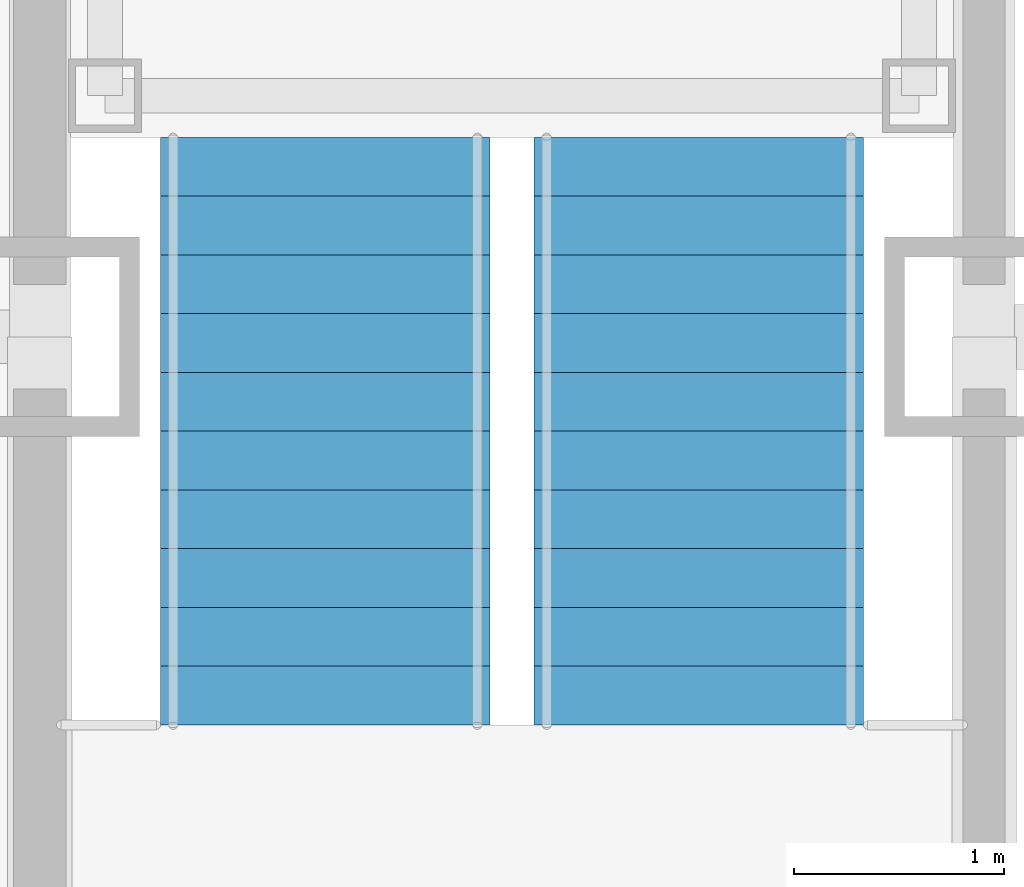
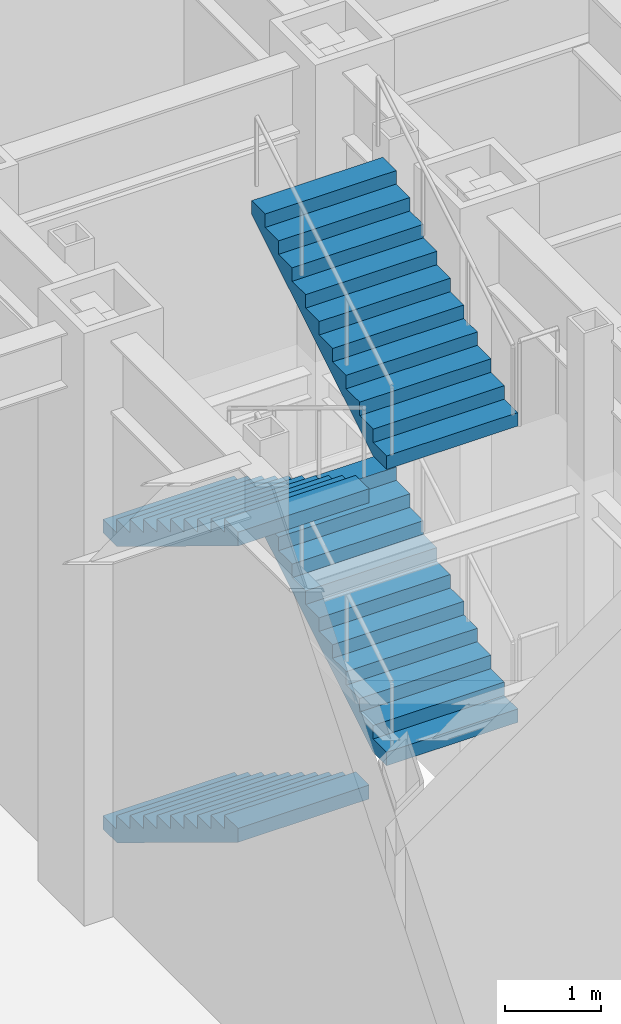
# One storey, part 20 of 34: 4 stair flights, 1 element without a shape of its own.
"""IFC4 building model written with IfcOpenShell, lengths in metres."""

from ifc_helpers import new_model, si_unit, direction, frame, origin, place, context, subcontext, project, spatial, faceted_brep, material, type_object, element, aggregate, save


model = new_model("IFC4")

# Units and contexts
model_context = context("Model", 3, precision=1e-05, world=origin(), true_north=direction((0.0, 1.0)))
body_context = subcontext(model_context, "Body", "Model", "MODEL_VIEW")
ifc_project = project(units=[si_unit("LENGTHUNIT", "METRE"), si_unit("AREAUNIT", "SQUARE_METRE"), si_unit("VOLUMEUNIT", "CUBIC_METRE"), si_unit("PLANEANGLEUNIT", "RADIAN"), si_unit("MASSUNIT", "GRAM", prefix="KILO")], contexts=[model_context])

# Site, building, storey
site_placement = place(None, origin())
site = spatial("IfcSite", under=ifc_project, at=site_placement, CompositionType="ELEMENT")
building_placement = place(site_placement, origin())
building = spatial("IfcBuilding", under=site, at=building_placement, Name="Chuquiago Exchange Tower", CompositionType="ELEMENT")
storey_placement = place(building_placement, frame((0.0, 0.0, 6.0)))
storey = spatial("IfcBuildingStorey", under=building, at=storey_placement, Name="L01", CompositionType="ELEMENT", Elevation=6.0)

# Stair, stair flights
ifc_material_1 = material(Name="Concrete C30/37, precast", Category="concrete")
stair_type = type_object("IfcStairType", Name="ST1 double half-turn stair 7500", PredefinedType="DOUBLE_RETURN_STAIR", material=ifc_material_1)
stair_placement = place(storey_placement, origin())
stair = element("IfcStair", 1, at=stair_placement, inside=storey, type_object=stair_type, Name="Stair ST1 L01", PredefinedType="DOUBLE_RETURN_STAIR")
ifc_material_2 = material(Name="Concrete C30/37, precast", Category="concrete")
stair_flight_type = type_object("IfcStairFlightType", Name="ST-F flight 1570 for 7500 storey", PredefinedType="STRAIGHT", material=ifc_material_2)
stair_flight_1_placement = place(storey_placement, frame((13.360107421875, 21.949951171875, 0.0), z_axis=(0.0, 0.0, 1.0), x_axis=(0.0, -1.0, 0.0)))
stair_flight_1 = element("IfcStairFlight", 2, at=stair_flight_1_placement, type_object=stair_flight_type, Name="ST1 flight 1", NumberOfRisers=11, NumberOfTreads=10, PredefinedType="STRAIGHT", RiserHeight=0.170454545, TreadLength=0.28, context=body_context, shape_type="Brep", body=[
    faceted_brep([(0.0, 0.78515625, 0.0), (0.0, 0.78515625, 0.17041015625), (0.280029296875, 0.78515625, 0.17041015625), (0.280029296875, 0.78515625, 0.3408203125), (0.56005859375, 0.78515625, 0.3408203125), (0.56005859375, 0.78515625, 0.511474609375), (0.840087890625, 0.78515625, 0.511474609375), (0.840087890625, 0.78515625, 0.681884765625), (1.1201171875, 0.78515625, 0.681884765625), (1.1201171875, 0.78515625, 0.852294921875), (1.39990234375, 0.78515625, 0.852294921875), (1.39990234375, 0.78515625, 1.022705078125), (1.679931640625, 0.78515625, 1.022705078125), (1.679931640625, 0.78515625, 1.193115234375), (1.9599609375, 0.78515625, 1.193115234375), (1.9599609375, 0.78515625, 1.363525390625), (2.239990234375, 0.78515625, 1.363525390625), (2.239990234375, 0.78515625, 1.5341796875), (2.52001953125, 0.78515625, 1.5341796875), (2.52001953125, 0.78515625, 1.70458984375), (2.800048828125, 0.78515625, 1.70458984375), (2.800048828125, 0.78515625, 1.529052734375), (0.288330078125, 0.78515625, 0.0), (0.288330078125, -0.78515625, 0.0), (2.800048828125, -0.78515625, 1.529052734375), (2.800048828125, -0.78515625, 1.70458984375), (2.52001953125, -0.78515625, 1.70458984375), (2.52001953125, -0.78515625, 1.5341796875), (2.239990234375, -0.78515625, 1.5341796875), (2.239990234375, -0.78515625, 1.363525390625), (1.9599609375, -0.78515625, 1.363525390625), (1.9599609375, -0.78515625, 1.193115234375), (1.679931640625, -0.78515625, 1.193115234375), (1.679931640625, -0.78515625, 1.022705078125), (1.39990234375, -0.78515625, 1.022705078125), (1.39990234375, -0.78515625, 0.852294921875), (1.1201171875, -0.78515625, 0.852294921875), (1.1201171875, -0.78515625, 0.681884765625), (0.840087890625, -0.78515625, 0.681884765625), (0.840087890625, -0.78515625, 0.511474609375), (0.56005859375, -0.78515625, 0.511474609375), (0.56005859375, -0.78515625, 0.3408203125), (0.280029296875, -0.78515625, 0.3408203125), (0.280029296875, -0.78515625, 0.17041015625), (0.0, -0.78515625, 0.17041015625), (0.0, -0.78515625, 0.0), (0.0, 0.392578125, 0.0), (0.0, 0.392578125, 0.17041015625), (0.0, 0.0, 0.0), (0.0, 0.0, 0.17041015625), (0.0, -0.392578125, 0.0), (0.0, -0.392578125, 0.17041015625), (0.280029296875, 0.392578125, 0.17041015625), (0.280029296875, 0.0, 0.17041015625), (0.280029296875, -0.392578125, 0.17041015625), (0.280029296875, 0.392578125, 0.3408203125), (0.280029296875, 0.0, 0.3408203125), (0.280029296875, -0.392578125, 0.3408203125), (0.56005859375, 0.392578125, 0.3408203125), (0.56005859375, 0.0, 0.3408203125), (0.56005859375, -0.392578125, 0.3408203125), (0.56005859375, 0.392578125, 0.511474609375), (0.56005859375, 0.0, 0.511474609375), (0.56005859375, -0.392578125, 0.511474609375), (0.840087890625, 0.392578125, 0.511474609375), (0.840087890625, 0.0, 0.511474609375), (0.840087890625, -0.392578125, 0.511474609375), (0.840087890625, 0.392578125, 0.681884765625), (0.840087890625, 0.0, 0.681884765625), (0.840087890625, -0.392578125, 0.681884765625), (1.1201171875, 0.392578125, 0.681884765625), (1.1201171875, 0.0, 0.681884765625), (1.1201171875, -0.392578125, 0.681884765625), (1.1201171875, 0.392578125, 0.852294921875), (1.1201171875, 0.0, 0.852294921875), (1.1201171875, -0.392578125, 0.852294921875), (1.39990234375, 0.392578125, 0.852294921875), (1.39990234375, 0.0, 0.852294921875), (1.39990234375, -0.392578125, 0.852294921875), (1.39990234375, 0.392578125, 1.022705078125), (1.39990234375, 0.0, 1.022705078125), (1.39990234375, -0.392578125, 1.022705078125), (1.679931640625, 0.392578125, 1.022705078125), (1.679931640625, 0.0, 1.022705078125), (1.679931640625, -0.392578125, 1.022705078125), (1.679931640625, 0.392578125, 1.193115234375), (1.679931640625, 0.0, 1.193115234375), (1.679931640625, -0.392578125, 1.193115234375), (1.9599609375, 0.392578125, 1.193115234375), (1.9599609375, 0.0, 1.193115234375), (1.9599609375, -0.392578125, 1.193115234375), (1.9599609375, 0.392578125, 1.363525390625), (1.9599609375, 0.0, 1.363525390625), (1.9599609375, -0.392578125, 1.363525390625), (2.239990234375, 0.392578125, 1.363525390625), (2.239990234375, 0.0, 1.363525390625), (2.239990234375, -0.392578125, 1.363525390625), (2.239990234375, 0.392578125, 1.5341796875), (2.239990234375, 0.0, 1.5341796875), (2.239990234375, -0.392578125, 1.5341796875), (2.52001953125, 0.392578125, 1.5341796875), (2.52001953125, 0.0, 1.5341796875), (2.52001953125, -0.392578125, 1.5341796875), (2.52001953125, 0.392578125, 1.70458984375), (2.52001953125, 0.0, 1.70458984375), (2.52001953125, -0.392578125, 1.70458984375), (2.800048828125, 0.392578125, 1.70458984375), (2.800048828125, 0.0, 1.70458984375), (2.800048828125, -0.392578125, 1.70458984375), (2.800048828125, 0.392578125, 1.529052734375), (2.800048828125, 0.0, 1.529052734375), (2.800048828125, -0.392578125, 1.529052734375), (0.288330078125, 0.392578125, 0.0), (0.288330078125, 0.0, 0.0), (0.288330078125, -0.392578125, 0.0)], [[[0, 1, 2, 3, 4, 5, 6, 7, 8, 9, 10, 11, 12, 13, 14, 15, 16, 17, 18, 19, 20, 21, 22]], [[23, 24, 25, 26, 27, 28, 29, 30, 31, 32, 33, 34, 35, 36, 37, 38, 39, 40, 41, 42, 43, 44, 45]], [[1, 0, 46, 47]], [[47, 46, 48, 49]], [[49, 48, 50, 51]], [[51, 50, 45, 44]], [[2, 1, 47, 52]], [[52, 47, 49, 53]], [[53, 49, 51, 54]], [[54, 51, 44, 43]], [[3, 2, 52, 55]], [[55, 52, 53, 56]], [[56, 53, 54, 57]], [[57, 54, 43, 42]], [[4, 3, 55, 58]], [[58, 55, 56, 59]], [[59, 56, 57, 60]], [[60, 57, 42, 41]], [[5, 4, 58, 61]], [[61, 58, 59, 62]], [[62, 59, 60, 63]], [[63, 60, 41, 40]], [[6, 5, 61, 64]], [[64, 61, 62, 65]], [[65, 62, 63, 66]], [[66, 63, 40, 39]], [[7, 6, 64, 67]], [[67, 64, 65, 68]], [[68, 65, 66, 69]], [[69, 66, 39, 38]], [[8, 7, 67, 70]], [[70, 67, 68, 71]], [[71, 68, 69, 72]], [[72, 69, 38, 37]], [[9, 8, 70, 73]], [[73, 70, 71, 74]], [[74, 71, 72, 75]], [[75, 72, 37, 36]], [[10, 9, 73, 76]], [[76, 73, 74, 77]], [[77, 74, 75, 78]], [[78, 75, 36, 35]], [[11, 10, 76, 79]], [[79, 76, 77, 80]], [[80, 77, 78, 81]], [[81, 78, 35, 34]], [[12, 11, 79, 82]], [[82, 79, 80, 83]], [[83, 80, 81, 84]], [[84, 81, 34, 33]], [[13, 12, 82, 85]], [[85, 82, 83, 86]], [[86, 83, 84, 87]], [[87, 84, 33, 32]], [[14, 13, 85, 88]], [[88, 85, 86, 89]], [[89, 86, 87, 90]], [[90, 87, 32, 31]], [[15, 14, 88, 91]], [[91, 88, 89, 92]], [[92, 89, 90, 93]], [[93, 90, 31, 30]], [[16, 15, 91, 94]], [[94, 91, 92, 95]], [[95, 92, 93, 96]], [[96, 93, 30, 29]], [[17, 16, 94, 97]], [[97, 94, 95, 98]], [[98, 95, 96, 99]], [[99, 96, 29, 28]], [[18, 17, 97, 100]], [[100, 97, 98, 101]], [[101, 98, 99, 102]], [[102, 99, 28, 27]], [[19, 18, 100, 103]], [[103, 100, 101, 104]], [[104, 101, 102, 105]], [[105, 102, 27, 26]], [[20, 19, 103, 106]], [[106, 103, 104, 107]], [[107, 104, 105, 108]], [[108, 105, 26, 25]], [[21, 20, 106, 109]], [[109, 106, 107, 110]], [[110, 107, 108, 111]], [[111, 108, 25, 24]], [[22, 21, 109, 112]], [[112, 109, 110, 113]], [[113, 110, 111, 114]], [[114, 111, 24, 23]], [[0, 22, 112, 46]], [[46, 112, 113, 48]], [[48, 113, 114, 50]], [[50, 114, 23, 45]]]),
])
stair_flight_2_placement = place(storey_placement, frame((15.139892578125, 19.14990234375, 1.875), z_axis=(0.0, 0.0, 1.0), x_axis=(0.0, 1.0, 0.0)))
stair_flight_2 = element("IfcStairFlight", 3, at=stair_flight_2_placement, type_object=stair_flight_type, Name="ST1 flight 2", NumberOfRisers=11, NumberOfTreads=10, PredefinedType="STRAIGHT", RiserHeight=0.170454545, TreadLength=0.28, context=body_context, shape_type="Brep", body=[
    faceted_brep([(0.0, 0.78515625, 0.0), (0.0, 0.78515625, 0.17041015625), (0.280029296875, 0.78515625, 0.17041015625), (0.280029296875, 0.78515625, 0.3408203125), (0.56005859375, 0.78515625, 0.3408203125), (0.56005859375, 0.78515625, 0.511474609375), (0.840087890625, 0.78515625, 0.511474609375), (0.840087890625, 0.78515625, 0.681884765625), (1.1201171875, 0.78515625, 0.681884765625), (1.1201171875, 0.78515625, 0.852294921875), (1.39990234375, 0.78515625, 0.852294921875), (1.39990234375, 0.78515625, 1.022705078125), (1.679931640625, 0.78515625, 1.022705078125), (1.679931640625, 0.78515625, 1.193115234375), (1.9599609375, 0.78515625, 1.193115234375), (1.9599609375, 0.78515625, 1.363525390625), (2.239990234375, 0.78515625, 1.363525390625), (2.239990234375, 0.78515625, 1.5341796875), (2.52001953125, 0.78515625, 1.5341796875), (2.52001953125, 0.78515625, 1.70458984375), (2.800048828125, 0.78515625, 1.70458984375), (2.800048828125, 0.78515625, 1.529052734375), (0.288330078125, 0.78515625, 0.0), (0.288330078125, -0.78515625, 0.0), (2.800048828125, -0.78515625, 1.529052734375), (2.800048828125, -0.78515625, 1.70458984375), (2.52001953125, -0.78515625, 1.70458984375), (2.52001953125, -0.78515625, 1.5341796875), (2.239990234375, -0.78515625, 1.5341796875), (2.239990234375, -0.78515625, 1.363525390625), (1.9599609375, -0.78515625, 1.363525390625), (1.9599609375, -0.78515625, 1.193115234375), (1.679931640625, -0.78515625, 1.193115234375), (1.679931640625, -0.78515625, 1.022705078125), (1.39990234375, -0.78515625, 1.022705078125), (1.39990234375, -0.78515625, 0.852294921875), (1.1201171875, -0.78515625, 0.852294921875), (1.1201171875, -0.78515625, 0.681884765625), (0.840087890625, -0.78515625, 0.681884765625), (0.840087890625, -0.78515625, 0.511474609375), (0.56005859375, -0.78515625, 0.511474609375), (0.56005859375, -0.78515625, 0.3408203125), (0.280029296875, -0.78515625, 0.3408203125), (0.280029296875, -0.78515625, 0.17041015625), (0.0, -0.78515625, 0.17041015625), (0.0, -0.78515625, 0.0), (0.0, 0.392578125, 0.0), (0.0, 0.392578125, 0.17041015625), (0.0, 0.0, 0.0), (0.0, 0.0, 0.17041015625), (0.0, -0.392578125, 0.0), (0.0, -0.392578125, 0.17041015625), (0.280029296875, 0.392578125, 0.17041015625), (0.280029296875, 0.0, 0.17041015625), (0.280029296875, -0.392578125, 0.17041015625), (0.280029296875, 0.392578125, 0.3408203125), (0.280029296875, 0.0, 0.3408203125), (0.280029296875, -0.392578125, 0.3408203125), (0.56005859375, 0.392578125, 0.3408203125), (0.56005859375, 0.0, 0.3408203125), (0.56005859375, -0.392578125, 0.3408203125), (0.56005859375, 0.392578125, 0.511474609375), (0.56005859375, 0.0, 0.511474609375), (0.56005859375, -0.392578125, 0.511474609375), (0.840087890625, 0.392578125, 0.511474609375), (0.840087890625, 0.0, 0.511474609375), (0.840087890625, -0.392578125, 0.511474609375), (0.840087890625, 0.392578125, 0.681884765625), (0.840087890625, 0.0, 0.681884765625), (0.840087890625, -0.392578125, 0.681884765625), (1.1201171875, 0.392578125, 0.681884765625), (1.1201171875, 0.0, 0.681884765625), (1.1201171875, -0.392578125, 0.681884765625), (1.1201171875, 0.392578125, 0.852294921875), (1.1201171875, 0.0, 0.852294921875), (1.1201171875, -0.392578125, 0.852294921875), (1.39990234375, 0.392578125, 0.852294921875), (1.39990234375, 0.0, 0.852294921875), (1.39990234375, -0.392578125, 0.852294921875), (1.39990234375, 0.392578125, 1.022705078125), (1.39990234375, 0.0, 1.022705078125), (1.39990234375, -0.392578125, 1.022705078125), (1.679931640625, 0.392578125, 1.022705078125), (1.679931640625, 0.0, 1.022705078125), (1.679931640625, -0.392578125, 1.022705078125), (1.679931640625, 0.392578125, 1.193115234375), (1.679931640625, 0.0, 1.193115234375), (1.679931640625, -0.392578125, 1.193115234375), (1.9599609375, 0.392578125, 1.193115234375), (1.9599609375, 0.0, 1.193115234375), (1.9599609375, -0.392578125, 1.193115234375), (1.9599609375, 0.392578125, 1.363525390625), (1.9599609375, 0.0, 1.363525390625), (1.9599609375, -0.392578125, 1.363525390625), (2.239990234375, 0.392578125, 1.363525390625), (2.239990234375, 0.0, 1.363525390625), (2.239990234375, -0.392578125, 1.363525390625), (2.239990234375, 0.392578125, 1.5341796875), (2.239990234375, 0.0, 1.5341796875), (2.239990234375, -0.392578125, 1.5341796875), (2.52001953125, 0.392578125, 1.5341796875), (2.52001953125, 0.0, 1.5341796875), (2.52001953125, -0.392578125, 1.5341796875), (2.52001953125, 0.392578125, 1.70458984375), (2.52001953125, 0.0, 1.70458984375), (2.52001953125, -0.392578125, 1.70458984375), (2.800048828125, 0.392578125, 1.70458984375), (2.800048828125, 0.0, 1.70458984375), (2.800048828125, -0.392578125, 1.70458984375), (2.800048828125, 0.392578125, 1.529052734375), (2.800048828125, 0.0, 1.529052734375), (2.800048828125, -0.392578125, 1.529052734375), (0.288330078125, 0.392578125, 0.0), (0.288330078125, 0.0, 0.0), (0.288330078125, -0.392578125, 0.0)], [[[0, 1, 2, 3, 4, 5, 6, 7, 8, 9, 10, 11, 12, 13, 14, 15, 16, 17, 18, 19, 20, 21, 22]], [[23, 24, 25, 26, 27, 28, 29, 30, 31, 32, 33, 34, 35, 36, 37, 38, 39, 40, 41, 42, 43, 44, 45]], [[1, 0, 46, 47]], [[47, 46, 48, 49]], [[49, 48, 50, 51]], [[51, 50, 45, 44]], [[2, 1, 47, 52]], [[52, 47, 49, 53]], [[53, 49, 51, 54]], [[54, 51, 44, 43]], [[3, 2, 52, 55]], [[55, 52, 53, 56]], [[56, 53, 54, 57]], [[57, 54, 43, 42]], [[4, 3, 55, 58]], [[58, 55, 56, 59]], [[59, 56, 57, 60]], [[60, 57, 42, 41]], [[5, 4, 58, 61]], [[61, 58, 59, 62]], [[62, 59, 60, 63]], [[63, 60, 41, 40]], [[6, 5, 61, 64]], [[64, 61, 62, 65]], [[65, 62, 63, 66]], [[66, 63, 40, 39]], [[7, 6, 64, 67]], [[67, 64, 65, 68]], [[68, 65, 66, 69]], [[69, 66, 39, 38]], [[8, 7, 67, 70]], [[70, 67, 68, 71]], [[71, 68, 69, 72]], [[72, 69, 38, 37]], [[9, 8, 70, 73]], [[73, 70, 71, 74]], [[74, 71, 72, 75]], [[75, 72, 37, 36]], [[10, 9, 73, 76]], [[76, 73, 74, 77]], [[77, 74, 75, 78]], [[78, 75, 36, 35]], [[11, 10, 76, 79]], [[79, 76, 77, 80]], [[80, 77, 78, 81]], [[81, 78, 35, 34]], [[12, 11, 79, 82]], [[82, 79, 80, 83]], [[83, 80, 81, 84]], [[84, 81, 34, 33]], [[13, 12, 82, 85]], [[85, 82, 83, 86]], [[86, 83, 84, 87]], [[87, 84, 33, 32]], [[14, 13, 85, 88]], [[88, 85, 86, 89]], [[89, 86, 87, 90]], [[90, 87, 32, 31]], [[15, 14, 88, 91]], [[91, 88, 89, 92]], [[92, 89, 90, 93]], [[93, 90, 31, 30]], [[16, 15, 91, 94]], [[94, 91, 92, 95]], [[95, 92, 93, 96]], [[96, 93, 30, 29]], [[17, 16, 94, 97]], [[97, 94, 95, 98]], [[98, 95, 96, 99]], [[99, 96, 29, 28]], [[18, 17, 97, 100]], [[100, 97, 98, 101]], [[101, 98, 99, 102]], [[102, 99, 28, 27]], [[19, 18, 100, 103]], [[103, 100, 101, 104]], [[104, 101, 102, 105]], [[105, 102, 27, 26]], [[20, 19, 103, 106]], [[106, 103, 104, 107]], [[107, 104, 105, 108]], [[108, 105, 26, 25]], [[21, 20, 106, 109]], [[109, 106, 107, 110]], [[110, 107, 108, 111]], [[111, 108, 25, 24]], [[22, 21, 109, 112]], [[112, 109, 110, 113]], [[113, 110, 111, 114]], [[114, 111, 24, 23]], [[0, 22, 112, 46]], [[46, 112, 113, 48]], [[48, 113, 114, 50]], [[50, 114, 23, 45]]]),
])
stair_flight_3_placement = place(storey_placement, frame((13.360107421875, 21.949951171875, 3.75), z_axis=(0.0, 0.0, 1.0), x_axis=(0.0, -1.0, 0.0)))
stair_flight_3 = element("IfcStairFlight", 4, at=stair_flight_3_placement, type_object=stair_flight_type, Name="ST1 flight 3", NumberOfRisers=11, NumberOfTreads=10, PredefinedType="STRAIGHT", RiserHeight=0.170454545, TreadLength=0.28, context=body_context, shape_type="Brep", body=[
    faceted_brep([(0.0, 0.78515625, 0.0), (0.0, 0.78515625, 0.17041015625), (0.280029296875, 0.78515625, 0.17041015625), (0.280029296875, 0.78515625, 0.3408203125), (0.56005859375, 0.78515625, 0.3408203125), (0.56005859375, 0.78515625, 0.511474609375), (0.840087890625, 0.78515625, 0.511474609375), (0.840087890625, 0.78515625, 0.681884765625), (1.1201171875, 0.78515625, 0.681884765625), (1.1201171875, 0.78515625, 0.852294921875), (1.39990234375, 0.78515625, 0.852294921875), (1.39990234375, 0.78515625, 1.022705078125), (1.679931640625, 0.78515625, 1.022705078125), (1.679931640625, 0.78515625, 1.193115234375), (1.9599609375, 0.78515625, 1.193115234375), (1.9599609375, 0.78515625, 1.363525390625), (2.239990234375, 0.78515625, 1.363525390625), (2.239990234375, 0.78515625, 1.5341796875), (2.52001953125, 0.78515625, 1.5341796875), (2.52001953125, 0.78515625, 1.70458984375), (2.800048828125, 0.78515625, 1.70458984375), (2.800048828125, 0.78515625, 1.529052734375), (0.288330078125, 0.78515625, 0.0), (0.288330078125, -0.78515625, 0.0), (2.800048828125, -0.78515625, 1.529052734375), (2.800048828125, -0.78515625, 1.70458984375), (2.52001953125, -0.78515625, 1.70458984375), (2.52001953125, -0.78515625, 1.5341796875), (2.239990234375, -0.78515625, 1.5341796875), (2.239990234375, -0.78515625, 1.363525390625), (1.9599609375, -0.78515625, 1.363525390625), (1.9599609375, -0.78515625, 1.193115234375), (1.679931640625, -0.78515625, 1.193115234375), (1.679931640625, -0.78515625, 1.022705078125), (1.39990234375, -0.78515625, 1.022705078125), (1.39990234375, -0.78515625, 0.852294921875), (1.1201171875, -0.78515625, 0.852294921875), (1.1201171875, -0.78515625, 0.681884765625), (0.840087890625, -0.78515625, 0.681884765625), (0.840087890625, -0.78515625, 0.511474609375), (0.56005859375, -0.78515625, 0.511474609375), (0.56005859375, -0.78515625, 0.3408203125), (0.280029296875, -0.78515625, 0.3408203125), (0.280029296875, -0.78515625, 0.17041015625), (0.0, -0.78515625, 0.17041015625), (0.0, -0.78515625, 0.0), (0.0, 0.392578125, 0.0), (0.0, 0.392578125, 0.17041015625), (0.0, 0.0, 0.0), (0.0, 0.0, 0.17041015625), (0.0, -0.392578125, 0.0), (0.0, -0.392578125, 0.17041015625), (0.280029296875, 0.392578125, 0.17041015625), (0.280029296875, 0.0, 0.17041015625), (0.280029296875, -0.392578125, 0.17041015625), (0.280029296875, 0.392578125, 0.3408203125), (0.280029296875, 0.0, 0.3408203125), (0.280029296875, -0.392578125, 0.3408203125), (0.56005859375, 0.392578125, 0.3408203125), (0.56005859375, 0.0, 0.3408203125), (0.56005859375, -0.392578125, 0.3408203125), (0.56005859375, 0.392578125, 0.511474609375), (0.56005859375, 0.0, 0.511474609375), (0.56005859375, -0.392578125, 0.511474609375), (0.840087890625, 0.392578125, 0.511474609375), (0.840087890625, 0.0, 0.511474609375), (0.840087890625, -0.392578125, 0.511474609375), (0.840087890625, 0.392578125, 0.681884765625), (0.840087890625, 0.0, 0.681884765625), (0.840087890625, -0.392578125, 0.681884765625), (1.1201171875, 0.392578125, 0.681884765625), (1.1201171875, 0.0, 0.681884765625), (1.1201171875, -0.392578125, 0.681884765625), (1.1201171875, 0.392578125, 0.852294921875), (1.1201171875, 0.0, 0.852294921875), (1.1201171875, -0.392578125, 0.852294921875), (1.39990234375, 0.392578125, 0.852294921875), (1.39990234375, 0.0, 0.852294921875), (1.39990234375, -0.392578125, 0.852294921875), (1.39990234375, 0.392578125, 1.022705078125), (1.39990234375, 0.0, 1.022705078125), (1.39990234375, -0.392578125, 1.022705078125), (1.679931640625, 0.392578125, 1.022705078125), (1.679931640625, 0.0, 1.022705078125), (1.679931640625, -0.392578125, 1.022705078125), (1.679931640625, 0.392578125, 1.193115234375), (1.679931640625, 0.0, 1.193115234375), (1.679931640625, -0.392578125, 1.193115234375), (1.9599609375, 0.392578125, 1.193115234375), (1.9599609375, 0.0, 1.193115234375), (1.9599609375, -0.392578125, 1.193115234375), (1.9599609375, 0.392578125, 1.363525390625), (1.9599609375, 0.0, 1.363525390625), (1.9599609375, -0.392578125, 1.363525390625), (2.239990234375, 0.392578125, 1.363525390625), (2.239990234375, 0.0, 1.363525390625), (2.239990234375, -0.392578125, 1.363525390625), (2.239990234375, 0.392578125, 1.5341796875), (2.239990234375, 0.0, 1.5341796875), (2.239990234375, -0.392578125, 1.5341796875), (2.52001953125, 0.392578125, 1.5341796875), (2.52001953125, 0.0, 1.5341796875), (2.52001953125, -0.392578125, 1.5341796875), (2.52001953125, 0.392578125, 1.70458984375), (2.52001953125, 0.0, 1.70458984375), (2.52001953125, -0.392578125, 1.70458984375), (2.800048828125, 0.392578125, 1.70458984375), (2.800048828125, 0.0, 1.70458984375), (2.800048828125, -0.392578125, 1.70458984375), (2.800048828125, 0.392578125, 1.529052734375), (2.800048828125, 0.0, 1.529052734375), (2.800048828125, -0.392578125, 1.529052734375), (0.288330078125, 0.392578125, 0.0), (0.288330078125, 0.0, 0.0), (0.288330078125, -0.392578125, 0.0)], [[[0, 1, 2, 3, 4, 5, 6, 7, 8, 9, 10, 11, 12, 13, 14, 15, 16, 17, 18, 19, 20, 21, 22]], [[23, 24, 25, 26, 27, 28, 29, 30, 31, 32, 33, 34, 35, 36, 37, 38, 39, 40, 41, 42, 43, 44, 45]], [[1, 0, 46, 47]], [[47, 46, 48, 49]], [[49, 48, 50, 51]], [[51, 50, 45, 44]], [[2, 1, 47, 52]], [[52, 47, 49, 53]], [[53, 49, 51, 54]], [[54, 51, 44, 43]], [[3, 2, 52, 55]], [[55, 52, 53, 56]], [[56, 53, 54, 57]], [[57, 54, 43, 42]], [[4, 3, 55, 58]], [[58, 55, 56, 59]], [[59, 56, 57, 60]], [[60, 57, 42, 41]], [[5, 4, 58, 61]], [[61, 58, 59, 62]], [[62, 59, 60, 63]], [[63, 60, 41, 40]], [[6, 5, 61, 64]], [[64, 61, 62, 65]], [[65, 62, 63, 66]], [[66, 63, 40, 39]], [[7, 6, 64, 67]], [[67, 64, 65, 68]], [[68, 65, 66, 69]], [[69, 66, 39, 38]], [[8, 7, 67, 70]], [[70, 67, 68, 71]], [[71, 68, 69, 72]], [[72, 69, 38, 37]], [[9, 8, 70, 73]], [[73, 70, 71, 74]], [[74, 71, 72, 75]], [[75, 72, 37, 36]], [[10, 9, 73, 76]], [[76, 73, 74, 77]], [[77, 74, 75, 78]], [[78, 75, 36, 35]], [[11, 10, 76, 79]], [[79, 76, 77, 80]], [[80, 77, 78, 81]], [[81, 78, 35, 34]], [[12, 11, 79, 82]], [[82, 79, 80, 83]], [[83, 80, 81, 84]], [[84, 81, 34, 33]], [[13, 12, 82, 85]], [[85, 82, 83, 86]], [[86, 83, 84, 87]], [[87, 84, 33, 32]], [[14, 13, 85, 88]], [[88, 85, 86, 89]], [[89, 86, 87, 90]], [[90, 87, 32, 31]], [[15, 14, 88, 91]], [[91, 88, 89, 92]], [[92, 89, 90, 93]], [[93, 90, 31, 30]], [[16, 15, 91, 94]], [[94, 91, 92, 95]], [[95, 92, 93, 96]], [[96, 93, 30, 29]], [[17, 16, 94, 97]], [[97, 94, 95, 98]], [[98, 95, 96, 99]], [[99, 96, 29, 28]], [[18, 17, 97, 100]], [[100, 97, 98, 101]], [[101, 98, 99, 102]], [[102, 99, 28, 27]], [[19, 18, 100, 103]], [[103, 100, 101, 104]], [[104, 101, 102, 105]], [[105, 102, 27, 26]], [[20, 19, 103, 106]], [[106, 103, 104, 107]], [[107, 104, 105, 108]], [[108, 105, 26, 25]], [[21, 20, 106, 109]], [[109, 106, 107, 110]], [[110, 107, 108, 111]], [[111, 108, 25, 24]], [[22, 21, 109, 112]], [[112, 109, 110, 113]], [[113, 110, 111, 114]], [[114, 111, 24, 23]], [[0, 22, 112, 46]], [[46, 112, 113, 48]], [[48, 113, 114, 50]], [[50, 114, 23, 45]]]),
])
stair_flight_4_placement = place(storey_placement, frame((15.139892578125, 19.14990234375, 5.625), z_axis=(0.0, 0.0, 1.0), x_axis=(0.0, 1.0, 0.0)))
stair_flight_4 = element("IfcStairFlight", 5, at=stair_flight_4_placement, type_object=stair_flight_type, Name="ST1 flight 4", NumberOfRisers=11, NumberOfTreads=10, PredefinedType="STRAIGHT", RiserHeight=0.170454545, TreadLength=0.28, context=body_context, shape_type="Brep", body=[
    faceted_brep([(0.0, 0.78515625, 0.0), (0.0, 0.78515625, 0.17041015625), (0.280029296875, 0.78515625, 0.17041015625), (0.280029296875, 0.78515625, 0.3408203125), (0.56005859375, 0.78515625, 0.3408203125), (0.56005859375, 0.78515625, 0.511474609375), (0.840087890625, 0.78515625, 0.511474609375), (0.840087890625, 0.78515625, 0.681884765625), (1.1201171875, 0.78515625, 0.681884765625), (1.1201171875, 0.78515625, 0.852294921875), (1.39990234375, 0.78515625, 0.852294921875), (1.39990234375, 0.78515625, 1.022705078125), (1.679931640625, 0.78515625, 1.022705078125), (1.679931640625, 0.78515625, 1.193115234375), (1.9599609375, 0.78515625, 1.193115234375), (1.9599609375, 0.78515625, 1.363525390625), (2.239990234375, 0.78515625, 1.363525390625), (2.239990234375, 0.78515625, 1.5341796875), (2.52001953125, 0.78515625, 1.5341796875), (2.52001953125, 0.78515625, 1.70458984375), (2.800048828125, 0.78515625, 1.70458984375), (2.800048828125, 0.78515625, 1.529052734375), (0.288330078125, 0.78515625, 0.0), (0.288330078125, -0.78515625, 0.0), (2.800048828125, -0.78515625, 1.529052734375), (2.800048828125, -0.78515625, 1.70458984375), (2.52001953125, -0.78515625, 1.70458984375), (2.52001953125, -0.78515625, 1.5341796875), (2.239990234375, -0.78515625, 1.5341796875), (2.239990234375, -0.78515625, 1.363525390625), (1.9599609375, -0.78515625, 1.363525390625), (1.9599609375, -0.78515625, 1.193115234375), (1.679931640625, -0.78515625, 1.193115234375), (1.679931640625, -0.78515625, 1.022705078125), (1.39990234375, -0.78515625, 1.022705078125), (1.39990234375, -0.78515625, 0.852294921875), (1.1201171875, -0.78515625, 0.852294921875), (1.1201171875, -0.78515625, 0.681884765625), (0.840087890625, -0.78515625, 0.681884765625), (0.840087890625, -0.78515625, 0.511474609375), (0.56005859375, -0.78515625, 0.511474609375), (0.56005859375, -0.78515625, 0.3408203125), (0.280029296875, -0.78515625, 0.3408203125), (0.280029296875, -0.78515625, 0.17041015625), (0.0, -0.78515625, 0.17041015625), (0.0, -0.78515625, 0.0), (0.0, 0.392578125, 0.0), (0.0, 0.392578125, 0.17041015625), (0.0, 0.0, 0.0), (0.0, 0.0, 0.17041015625), (0.0, -0.392578125, 0.0), (0.0, -0.392578125, 0.17041015625), (0.280029296875, 0.392578125, 0.17041015625), (0.280029296875, 0.0, 0.17041015625), (0.280029296875, -0.392578125, 0.17041015625), (0.280029296875, 0.392578125, 0.3408203125), (0.280029296875, 0.0, 0.3408203125), (0.280029296875, -0.392578125, 0.3408203125), (0.56005859375, 0.392578125, 0.3408203125), (0.56005859375, 0.0, 0.3408203125), (0.56005859375, -0.392578125, 0.3408203125), (0.56005859375, 0.392578125, 0.511474609375), (0.56005859375, 0.0, 0.511474609375), (0.56005859375, -0.392578125, 0.511474609375), (0.840087890625, 0.392578125, 0.511474609375), (0.840087890625, 0.0, 0.511474609375), (0.840087890625, -0.392578125, 0.511474609375), (0.840087890625, 0.392578125, 0.681884765625), (0.840087890625, 0.0, 0.681884765625), (0.840087890625, -0.392578125, 0.681884765625), (1.1201171875, 0.392578125, 0.681884765625), (1.1201171875, 0.0, 0.681884765625), (1.1201171875, -0.392578125, 0.681884765625), (1.1201171875, 0.392578125, 0.852294921875), (1.1201171875, 0.0, 0.852294921875), (1.1201171875, -0.392578125, 0.852294921875), (1.39990234375, 0.392578125, 0.852294921875), (1.39990234375, 0.0, 0.852294921875), (1.39990234375, -0.392578125, 0.852294921875), (1.39990234375, 0.392578125, 1.022705078125), (1.39990234375, 0.0, 1.022705078125), (1.39990234375, -0.392578125, 1.022705078125), (1.679931640625, 0.392578125, 1.022705078125), (1.679931640625, 0.0, 1.022705078125), (1.679931640625, -0.392578125, 1.022705078125), (1.679931640625, 0.392578125, 1.193115234375), (1.679931640625, 0.0, 1.193115234375), (1.679931640625, -0.392578125, 1.193115234375), (1.9599609375, 0.392578125, 1.193115234375), (1.9599609375, 0.0, 1.193115234375), (1.9599609375, -0.392578125, 1.193115234375), (1.9599609375, 0.392578125, 1.363525390625), (1.9599609375, 0.0, 1.363525390625), (1.9599609375, -0.392578125, 1.363525390625), (2.239990234375, 0.392578125, 1.363525390625), (2.239990234375, 0.0, 1.363525390625), (2.239990234375, -0.392578125, 1.363525390625), (2.239990234375, 0.392578125, 1.5341796875), (2.239990234375, 0.0, 1.5341796875), (2.239990234375, -0.392578125, 1.5341796875), (2.52001953125, 0.392578125, 1.5341796875), (2.52001953125, 0.0, 1.5341796875), (2.52001953125, -0.392578125, 1.5341796875), (2.52001953125, 0.392578125, 1.70458984375), (2.52001953125, 0.0, 1.70458984375), (2.52001953125, -0.392578125, 1.70458984375), (2.800048828125, 0.392578125, 1.70458984375), (2.800048828125, 0.0, 1.70458984375), (2.800048828125, -0.392578125, 1.70458984375), (2.800048828125, 0.392578125, 1.529052734375), (2.800048828125, 0.0, 1.529052734375), (2.800048828125, -0.392578125, 1.529052734375), (0.288330078125, 0.392578125, 0.0), (0.288330078125, 0.0, 0.0), (0.288330078125, -0.392578125, 0.0)], [[[0, 1, 2, 3, 4, 5, 6, 7, 8, 9, 10, 11, 12, 13, 14, 15, 16, 17, 18, 19, 20, 21, 22]], [[23, 24, 25, 26, 27, 28, 29, 30, 31, 32, 33, 34, 35, 36, 37, 38, 39, 40, 41, 42, 43, 44, 45]], [[1, 0, 46, 47]], [[47, 46, 48, 49]], [[49, 48, 50, 51]], [[51, 50, 45, 44]], [[2, 1, 47, 52]], [[52, 47, 49, 53]], [[53, 49, 51, 54]], [[54, 51, 44, 43]], [[3, 2, 52, 55]], [[55, 52, 53, 56]], [[56, 53, 54, 57]], [[57, 54, 43, 42]], [[4, 3, 55, 58]], [[58, 55, 56, 59]], [[59, 56, 57, 60]], [[60, 57, 42, 41]], [[5, 4, 58, 61]], [[61, 58, 59, 62]], [[62, 59, 60, 63]], [[63, 60, 41, 40]], [[6, 5, 61, 64]], [[64, 61, 62, 65]], [[65, 62, 63, 66]], [[66, 63, 40, 39]], [[7, 6, 64, 67]], [[67, 64, 65, 68]], [[68, 65, 66, 69]], [[69, 66, 39, 38]], [[8, 7, 67, 70]], [[70, 67, 68, 71]], [[71, 68, 69, 72]], [[72, 69, 38, 37]], [[9, 8, 70, 73]], [[73, 70, 71, 74]], [[74, 71, 72, 75]], [[75, 72, 37, 36]], [[10, 9, 73, 76]], [[76, 73, 74, 77]], [[77, 74, 75, 78]], [[78, 75, 36, 35]], [[11, 10, 76, 79]], [[79, 76, 77, 80]], [[80, 77, 78, 81]], [[81, 78, 35, 34]], [[12, 11, 79, 82]], [[82, 79, 80, 83]], [[83, 80, 81, 84]], [[84, 81, 34, 33]], [[13, 12, 82, 85]], [[85, 82, 83, 86]], [[86, 83, 84, 87]], [[87, 84, 33, 32]], [[14, 13, 85, 88]], [[88, 85, 86, 89]], [[89, 86, 87, 90]], [[90, 87, 32, 31]], [[15, 14, 88, 91]], [[91, 88, 89, 92]], [[92, 89, 90, 93]], [[93, 90, 31, 30]], [[16, 15, 91, 94]], [[94, 91, 92, 95]], [[95, 92, 93, 96]], [[96, 93, 30, 29]], [[17, 16, 94, 97]], [[97, 94, 95, 98]], [[98, 95, 96, 99]], [[99, 96, 29, 28]], [[18, 17, 97, 100]], [[100, 97, 98, 101]], [[101, 98, 99, 102]], [[102, 99, 28, 27]], [[19, 18, 100, 103]], [[103, 100, 101, 104]], [[104, 101, 102, 105]], [[105, 102, 27, 26]], [[20, 19, 103, 106]], [[106, 103, 104, 107]], [[107, 104, 105, 108]], [[108, 105, 26, 25]], [[21, 20, 106, 109]], [[109, 106, 107, 110]], [[110, 107, 108, 111]], [[111, 108, 25, 24]], [[22, 21, 109, 112]], [[112, 109, 110, 113]], [[113, 110, 111, 114]], [[114, 111, 24, 23]], [[0, 22, 112, 46]], [[46, 112, 113, 48]], [[48, 113, 114, 50]], [[50, 114, 23, 45]]]),
])
aggregate(stair, [stair_flight_1, stair_flight_2, stair_flight_3, stair_flight_4])

save(model, "model.ifc")
